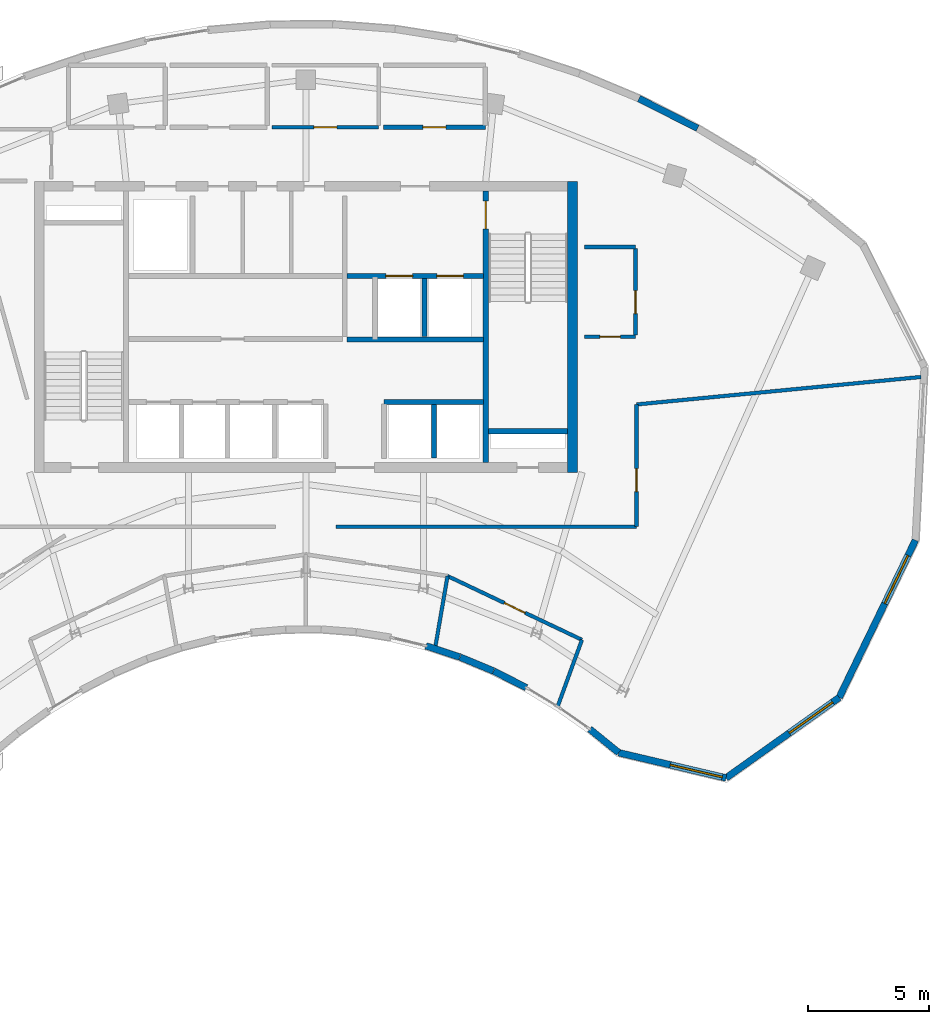
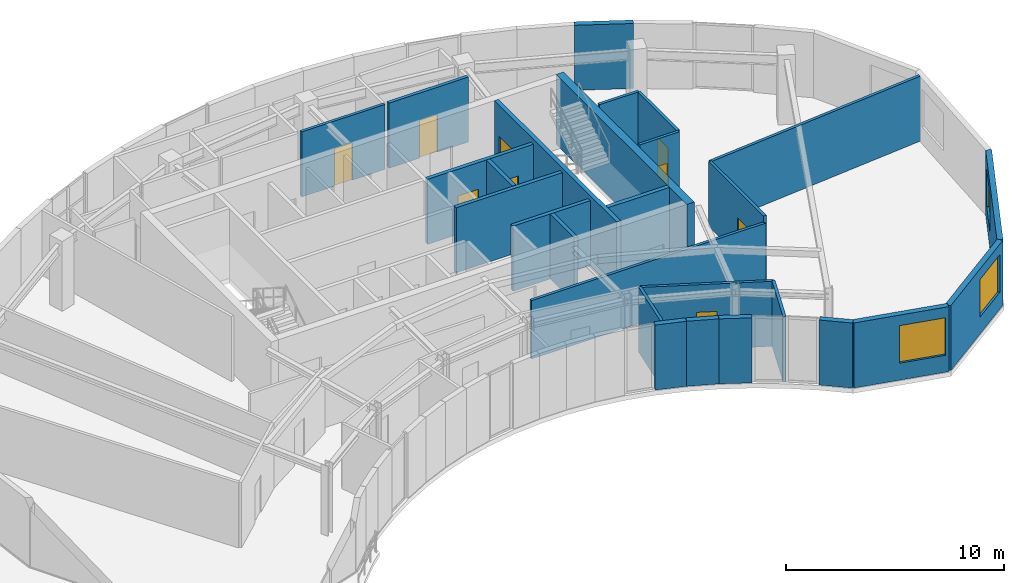
# One storey, part 8 of 11: 27 walls, 9 doors, 3 windows, 12 openings.
"""IFC4 building model written with IfcOpenShell, lengths in metres."""

import ifcopenshell
import ifcopenshell.guid

model = None  # the IFC model being written
_history = None  # IfcOwnerHistory: only IFC2X3 demands one
_inside = {}  # id of a spatial element -> (the spatial element, [elements in it])
_under = {}  # id of a project, library or spatial element -> (it, [spatial elements below it])
_declared = {}  # id of a project -> (the project, [libraries it declares])
_typed = {}  # id of a type object -> (the type object, [elements of that type])
_made_of = {}  # id of a material, layer set ... -> (it, [elements and type objects made of it])


def new_model(schema):
    """Start an empty IFC model of exactly this schema.

    Asked for "IFC4X3", IfcOpenShell would pick the latest addendum, in which some entities
    have other attributes; the version numbers below select the first issue.
    IFC2X3 requires an IfcOwnerHistory on every rooted entity: one is made here for all.
    """
    global model, _history
    if schema == "IFC4X3":
        model = ifcopenshell.file(schema_version=(4, 3, 0, 0))
    else:
        model = ifcopenshell.file(schema=schema)
    _inside.clear()
    _under.clear()
    _declared.clear()
    _typed.clear()
    _made_of.clear()
    _history = None
    if model.schema == "IFC2X3":
        org = make("IfcOrganization", Name="unknown")
        user = make(
            "IfcPersonAndOrganization",
            ThePerson=make("IfcPerson", FamilyName="unknown"),
            TheOrganization=org,
        )
        app = make(
            "IfcApplication",
            ApplicationDeveloper=org,
            Version="unknown",
            ApplicationFullName="unknown",
            ApplicationIdentifier="unknown",
        )
        _history = make(
            "IfcOwnerHistory",
            OwningUser=user,
            OwningApplication=app,
            ChangeAction="ADDED",
            CreationDate=0,
        )
    return model


def make(cls, **values):
    """One entity of the class cls with the attributes given. An attribute that is None is left unset."""
    return model.create_entity(
        cls, **{name: value for name, value in values.items() if value is not None}
    )


def rooted(cls, **values):
    """An entity with a GlobalId (a new one), such as an element, a storey or a relation."""
    return make(cls, GlobalId=ifcopenshell.guid.new(), OwnerHistory=_history, **values)


def si_unit(unit_type, name, prefix=None):
    """IfcSIUnit, for example si_unit("LENGTHUNIT", "METRE", prefix="MILLI")."""
    return make("IfcSIUnit", UnitType=unit_type, Prefix=prefix, Name=name)


def assignment(units):
    """IfcUnitAssignment: the units of a project."""
    return None if units is None else make("IfcUnitAssignment", Units=units)


def point(xyz):
    """IfcCartesianPoint."""
    return None if xyz is None else make("IfcCartesianPoint", Coordinates=xyz)


def direction(xyz):
    """IfcDirection."""
    return None if xyz is None else make("IfcDirection", DirectionRatios=xyz)


def frame(location, z_axis=None, x_axis=None):
    """IfcAxis2Placement3D, a coordinate frame: its origin and axes. An axis left out is left unset."""
    return make(
        "IfcAxis2Placement3D",
        Location=point(location),
        Axis=direction(z_axis),
        RefDirection=direction(x_axis),
    )


def frame_2d(location, x_axis=None):
    """IfcAxis2Placement2D, a coordinate frame in the plane: its origin and x axis."""
    return make(
        "IfcAxis2Placement2D", Location=point(location), RefDirection=direction(x_axis)
    )


def origin():
    """The frame at (0, 0, 0) with its axes left unset."""
    return frame((0.0, 0.0, 0.0))


def place(relative_to, where):
    """IfcLocalPlacement: puts the frame where relative to a parent placement (None: the world)."""
    return make(
        "IfcLocalPlacement", PlacementRelTo=relative_to, RelativePlacement=where
    )


def context(
    kind, dimensions, precision=None, world=None, true_north=None, identifier=None
):
    """IfcGeometricRepresentationContext, for example the 3D "Model" context."""
    return make(
        "IfcGeometricRepresentationContext",
        ContextIdentifier=identifier,
        ContextType=kind,
        CoordinateSpaceDimension=dimensions,
        Precision=precision,
        WorldCoordinateSystem=world,
        TrueNorth=true_north,
    )


def subcontext(parent, identifier, kind, view, scale=None):
    """IfcGeometricRepresentationSubContext, for example "Body" below "Model"."""
    return make(
        "IfcGeometricRepresentationSubContext",
        ContextIdentifier=identifier,
        ContextType=kind,
        ParentContext=parent,
        TargetScale=scale,
        TargetView=view,
    )


def project(units=None, contexts=None):
    """IfcProject with its units and contexts."""
    return rooted(
        "IfcProject",
        Name="project",
        RepresentationContexts=contexts,
        UnitsInContext=assignment(units),
    )


def spatial(cls, under=None, at=None, **own):
    """A site, building, storey or space (cls), placed at a placement, below another one or the project."""
    s = rooted(cls, ObjectPlacement=at, **own)
    if under is not None:
        _under.setdefault(under.id(), (under, []))[1].append(s)
    return s


def profile(cls, at=None, kind="AREA", **sizes):
    """A parametric profile (cls). Its sizes go by their IFC names, for example OverallWidth=200.0."""
    return make(cls, ProfileType=kind, Position=at, **sizes)


def rectangle(**sizes):
    """IfcRectangleProfileDef."""
    return profile("IfcRectangleProfileDef", **sizes)


def extrude(swept, where, along, depth):
    """IfcExtrudedAreaSolid: the profile swept, set in the frame where, extruded along a direction by depth."""
    return make(
        "IfcExtrudedAreaSolid",
        SweptArea=swept,
        Position=where,
        ExtrudedDirection=direction(along),
        Depth=depth,
    )


def shape(context_of_items, identifier, shape_type, items):
    """IfcShapeRepresentation: the items that make up one representation, for example the "Body"."""
    return make(
        "IfcShapeRepresentation",
        ContextOfItems=context_of_items,
        RepresentationIdentifier=identifier,
        RepresentationType=shape_type,
        Items=items,
    )


def source(mapping_origin, context_of_items, identifier, shape_type, items):
    """IfcRepresentationMap: a shape defined once, which mapped items show again and again."""
    return make(
        "IfcRepresentationMap",
        MappingOrigin=mapping_origin,
        MappedRepresentation=shape(context_of_items, identifier, shape_type, items),
    )


def transform(
    local_origin,
    x_axis=None,
    y_axis=None,
    z_axis=None,
    scale=None,
    scale2=None,
    scale3=None,
    uniform=True,
):
    """IfcCartesianTransformationOperator3D, or its non-uniform kind. x_axis, y_axis, z_axis: its Axis1, 2, 3."""
    if uniform:
        return make(
            "IfcCartesianTransformationOperator3D",
            Axis1=direction(x_axis),
            Axis2=direction(y_axis),
            LocalOrigin=point(local_origin),
            Scale=scale,
            Axis3=direction(z_axis),
        )
    return make(
        "IfcCartesianTransformationOperator3DnonUniform",
        Axis1=direction(x_axis),
        Axis2=direction(y_axis),
        LocalOrigin=point(local_origin),
        Scale=scale,
        Axis3=direction(z_axis),
        Scale2=scale2,
        Scale3=scale3,
    )


def mapped(mapping_source, mapping_target):
    """IfcMappedItem: shows the shape of a source again, moved by a transform."""
    return make(
        "IfcMappedItem", MappingSource=mapping_source, MappingTarget=mapping_target
    )


def material(Name=None, Category=None):
    """IfcMaterial."""
    return make("IfcMaterial", Name=Name, Category=Category)


def layer(
    of_material, thickness, ventilated=None, Name=None, Category=None, Priority=None
):
    """IfcMaterialLayer: one layer of a wall or slab, of a material (None: an air gap)."""
    return make(
        "IfcMaterialLayer",
        Material=of_material,
        LayerThickness=thickness,
        IsVentilated=ventilated,
        Name=Name,
        Category=Category,
        Priority=Priority,
    )


def layer_set(layers, Name=None):
    """IfcMaterialLayerSet."""
    return make("IfcMaterialLayerSet", MaterialLayers=layers, LayerSetName=Name)


def made_of(thing, what):
    """Note that an element or type object is made of a material, layer set ...; save() writes the relation."""
    if what is not None:
        _made_of.setdefault(what.id(), (what, []))[1].append(thing)
    return thing


def type_object(cls, material=None, **own):
    """A type object (cls), such as IfcWallType, which elements share."""
    return made_of(rooted(cls, **own), material)


def type_shapes(of_type, sources):
    """Give a type object the sources (RepresentationMaps) that its elements show as mapped items."""
    of_type.RepresentationMaps = sources


def element(
    cls,
    number,
    at=None,
    inside=None,
    cuts=None,
    type_object=None,
    material=None,
    context=None,
    identifier="Body",
    shape_type=None,
    held_by="IfcProductDefinitionShape",
    body=None,
    shapes=None,
    **own,
):
    """One element of the class cls, such as IfcWall. Its Tag is "e" and its number.

    at: its placement. inside: the storey or other place that contains it. cuts: it is an
    opening in that element (IfcRelVoidsElement). A single representation is given by context,
    identifier, shape_type and body (its items); several are given by shapes. held_by: the class
    of the entity that holds the representations. save() writes the other relations.
    """
    e = rooted(cls, Tag="e%d" % number, ObjectPlacement=at, **own)
    if body is not None:
        shapes = [shape(context, identifier, shape_type, body)]
    if shapes is not None:
        e.Representation = make(held_by, Representations=shapes)
    if inside is not None:
        _inside.setdefault(inside.id(), (inside, []))[1].append(e)
    if cuts is not None:
        rooted(
            "IfcRelVoidsElement", RelatingBuildingElement=cuts, RelatedOpeningElement=e
        )
    if type_object is not None:
        _typed.setdefault(type_object.id(), (type_object, []))[1].append(e)
    return made_of(e, material)


def fill(opening, filler):
    """IfcRelFillsElement: the door or window that sits in an opening."""
    return rooted(
        "IfcRelFillsElement",
        RelatingOpeningElement=opening,
        RelatedBuildingElement=filler,
    )


def aggregate(whole, parts):
    """IfcRelAggregates: a whole, such as a stair, and the parts it consists of."""
    return rooted("IfcRelAggregates", RelatingObject=whole, RelatedObjects=parts)


def save(model, path):
    """Write the relations noted so far, then the file.

    IfcRelAggregates (storeys below a building ...), IfcRelContainedInSpatialStructure (elements
    in a storey), IfcRelDefinesByType, IfcRelAssociatesMaterial and IfcRelDeclares: one each for
    every whole, place, type object, material and project.
    """
    for whole, parts in _under.values():
        aggregate(whole, parts)
    for where, things in _inside.values():
        rooted(
            "IfcRelContainedInSpatialStructure",
            RelatedElements=things,
            RelatingStructure=where,
        )
    for kind, things in _typed.values():
        rooted("IfcRelDefinesByType", RelatedObjects=things, RelatingType=kind)
    for what, things in _made_of.values():
        rooted("IfcRelAssociatesMaterial", RelatedObjects=things, RelatingMaterial=what)
    for by, libraries in _declared.values():
        rooted("IfcRelDeclares", RelatingContext=by, RelatedDefinitions=libraries)
    model.write(path)


model = new_model("IFC4")

# Units and contexts
model_context = context("Model", 3, precision=1e-05, world=origin(), true_north=direction((0.0, 1.0)))
body_context = subcontext(model_context, "Body", "Model", "MODEL_VIEW")
ifc_project = project(units=[si_unit("LENGTHUNIT", "METRE"), si_unit("AREAUNIT", "SQUARE_METRE"), si_unit("VOLUMEUNIT", "CUBIC_METRE"), si_unit("PLANEANGLEUNIT", "RADIAN"), si_unit("MASSUNIT", "GRAM", prefix="KILO")], contexts=[model_context])

# Site, building, storey
site_placement = place(None, origin())
site = spatial("IfcSite", under=ifc_project, at=site_placement, CompositionType="ELEMENT")
building_placement = place(site_placement, origin())
building = spatial("IfcBuilding", under=site, at=building_placement, Name="Breltana Convention Tower", CompositionType="ELEMENT")
storey_placement = place(building_placement, frame((0.0, 0.0, 275.699951171875)))
storey = spatial("IfcBuildingStorey", under=building, at=storey_placement, Name="L67", CompositionType="ELEMENT", Elevation=275.699951171875)

# Walls
ifc_material_1 = material(Name="Concrete C50/60", Category="concrete")
ifc_layer_1 = layer(ifc_material_1, 0.39990234375, Name="Concrete C50/60")
ifc_layer_set_1 = layer_set([ifc_layer_1], Name="Concrete C50/60")
wall_type_1 = type_object("IfcWallType", Name="SW-CORE-400", PredefinedType="SHEAR", material=ifc_layer_set_1)
shared_shape_1 = source(origin(), body_context, "Body", "SweptSolid", [
    extrude(rectangle(XDim=3.27001953125, YDim=0.219970703125, at=frame_2d((1.635009765625, 0.0))), origin(), (0.0, 0.0, 1.0), 3.900146484375),
])
wall_1_placement = place(storey_placement, frame((55.530029296875, 61.889892578125, 0.0), z_axis=(0.0, 0.0, 1.0), x_axis=(1.0, 0.0, 0.0)))
element("IfcWall", 1, at=wall_1_placement, inside=storey, type_object=wall_type_1, Name="L67 ST-2 Stairwell South Bearing Wall", PredefinedType="SHEAR", context=body_context, shape_type="MappedRepresentation", body=[
    mapped(shared_shape_1, transform((0.0, 0.0, 0.0), scale=1.0)),
])
shared_shape_2 = source(origin(), body_context, "Body", "SweptSolid", [
    extrude(rectangle(XDim=12.0, YDim=0.39990234375, at=frame_2d((6.0, 0.0))), origin(), (0.0, 0.0, 1.0), 3.900146484375),
])
wall_2_placement = place(storey_placement, frame((59.0, 60.199951171875, 0.0), z_axis=(0.0, 0.0, 1.0), x_axis=(0.0, 1.0, 0.0)))
element("IfcWall", 2, at=wall_2_placement, inside=storey, type_object=wall_type_1, Name="L67 East Core Shear Wall", PredefinedType="SHEAR", context=body_context, shape_type="MappedRepresentation", body=[
    mapped(shared_shape_2, transform((0.0, 0.0, 0.0), scale=1.0)),
])

# Wall, opening, door
shared_shape_3 = source(origin(), body_context, "Body", "SweptSolid", [
    extrude(rectangle(XDim=11.199951171875, YDim=0.219970703125, at=frame_2d((5.60009765625, 0.0))), origin(), (0.0, 0.0, 1.0), 3.900146484375),
])
wall_3_placement = place(storey_placement, frame((55.419921875, 60.60009765625, 0.0), z_axis=(0.0, 0.0, 1.0), x_axis=(0.0, 1.0, 0.0)))
wall_3 = element("IfcWall", 3, at=wall_3_placement, inside=storey, type_object=wall_type_1, Name="L67 Core East Stair Spine Wall", PredefinedType="SHEAR", context=body_context, shape_type="MappedRepresentation", body=[
    mapped(shared_shape_3, transform((0.0, 0.0, 0.0), scale=1.0)),
])
opening_1_placement = place(wall_3_placement, frame((9.64501953125, 0.0, 0.0)))
opening_1 = element("IfcOpeningElement", 4, at=opening_1_placement, cuts=wall_3, Name="Opening D-11", PredefinedType="OPENING", context=body_context, shape_type="SweptSolid", body=[
    extrude(rectangle(XDim=1.14990234375, YDim=2.14990234375, at=frame_2d((0.574951171875, 1.074951171875))), frame((0.0, 0.1201171875, 0.0), z_axis=(0.0, -1.0, 0.0), x_axis=(1.0, 0.0, 0.0)), (0.0, 0.0, 1.0), 0.239990234375),
])
ifc_material_2 = material(Name="Steel Stair Exit Door", Category="steel")
door_type_1 = type_object("IfcDoorType", Name="DR-FD120-1150", OperationType="NOTDEFINED", PredefinedType="DOOR", material=ifc_material_2)
shared_shape_4 = source(origin(), body_context, "Body", "SweptSolid", [
    extrude(rectangle(XDim=1.14990234375, YDim=2.14990234375, at=frame_2d((0.574951171875, 1.074951171875))), frame((0.0, 0.02490234375, 0.0), z_axis=(0.0, -1.0, 0.0), x_axis=(1.0, 0.0, 0.0)), (0.0, 0.0, 1.0), 0.050048828125),
])
type_shapes(door_type_1, [shared_shape_4])
door_1_placement = place(opening_1_placement, origin())
door_1 = element("IfcDoor", 5, at=door_1_placement, inside=storey, type_object=door_type_1, Name="L67 interior door D-L67-ST2", OperationType="SINGLE_SWING_LEFT", OverallHeight=2.14990234375, OverallWidth=1.14990234375, PredefinedType="DOOR", context=body_context, shape_type="MappedRepresentation", body=[
    mapped(shared_shape_4, transform((0.0, 0.0, 0.0), scale=1.0)),
])
fill(opening_1, door_1)

# Wall, opening, window
ifc_material_3 = material(Name="Limestone Buff Insulated Wall", Category="masonry")
ifc_layer_2 = layer(ifc_material_3, 0.280029296875, Name="Limestone Buff Insulated Wall")
ifc_layer_set_2 = layer_set([ifc_layer_2], Name="Limestone Buff Insulated Wall")
wall_type_2 = type_object("IfcWallType", Name="WL-EXT-NOSE-280", PredefinedType="SOLIDWALL", material=ifc_layer_set_2)
shared_shape_5 = source(origin(), body_context, "Body", "SweptSolid", [
    extrude(rectangle(XDim=7.21142578125, YDim=0.280029296875, at=frame_2d((3.605712890625, 0.0))), origin(), (0.0, 0.0, 1.0), 3.64013671875),
])
wall_4_placement = place(storey_placement, frame((73.1484375, 57.398681640625, 0.0), z_axis=(0.0, 0.0, 1.0), x_axis=(-0.436088263006, -0.899903898685, 0.0)))
wall_4 = element("IfcWall", 6, at=wall_4_placement, inside=storey, type_object=wall_type_2, Name="L67 curved limestone nose wall E3", PredefinedType="SOLIDWALL", context=body_context, shape_type="MappedRepresentation", body=[
    mapped(shared_shape_5, transform((0.0, 0.0, 0.0), scale=1.0)),
])
opening_2_placement = place(wall_4_placement, frame((0.702880859375, 0.0, 0.949951171875)))
opening_2 = element("IfcOpeningElement", 7, at=opening_2_placement, cuts=wall_4, Name="Opening W-03", PredefinedType="OPENING", context=body_context, shape_type="SweptSolid", body=[
    extrude(rectangle(XDim=2.199951171875, YDim=2.10009765625, at=frame_2d((1.10009765625, 1.050048828125))), frame((0.0, 0.14990234375, 0.0), z_axis=(0.0, -1.0, 0.0), x_axis=(1.0, 0.0, 0.0)), (0.0, 0.0, 1.0), 0.300048828125),
])
ifc_material_4 = material(Name="Glass Low-E Insulated Window", Category="glass")
window_type = type_object("IfcWindowType", Name="WN-NOSE-2200X2100", PartitioningType="TRIPLE_PANEL_VERTICAL", PredefinedType="WINDOW", material=ifc_material_4)
shared_shape_6 = source(origin(), body_context, "Body", "SweptSolid", [
    extrude(rectangle(XDim=2.199951171875, YDim=2.10009765625, at=frame_2d((1.10009765625, 1.050048828125))), frame((0.0, 0.030029296875, 0.0), z_axis=(0.0, -1.0, 0.0), x_axis=(1.0, 0.0, 0.0)), (0.0, 0.0, 1.0), 0.06005859375),
])
type_shapes(window_type, [shared_shape_6])
window_1_placement = place(opening_2_placement, origin())
window_1 = element("IfcWindow", 8, at=window_1_placement, inside=storey, type_object=window_type, Name="L67 nose window E3", OverallHeight=2.10009765625, OverallWidth=2.199951171875, PartitioningType="TRIPLE_PANEL_VERTICAL", PredefinedType="WINDOW", context=body_context, shape_type="MappedRepresentation", body=[
    mapped(shared_shape_6, transform((0.0, 0.0, 0.0), scale=1.0)),
])
fill(opening_2, window_1)

shared_shape_7 = source(origin(), body_context, "Body", "SweptSolid", [
    extrude(rectangle(XDim=5.730712890625, YDim=0.280029296875, at=frame_2d((2.865234375, 0.0))), origin(), (0.0, 0.0, 1.0), 3.64013671875),
])
wall_5_placement = place(storey_placement, frame((70.003662109375, 50.9091796875, 0.0), z_axis=(0.0, 0.0, 1.0), x_axis=(-0.815021045908, -0.579431354629, 0.0)))
wall_5 = element("IfcWall", 9, at=wall_5_placement, inside=storey, type_object=wall_type_2, Name="L67 curved limestone nose wall E4", PredefinedType="SOLIDWALL", context=body_context, shape_type="MappedRepresentation", body=[
    mapped(shared_shape_7, transform((0.0, 0.0, 0.0), scale=1.0)),
])
opening_3_placement = place(wall_5_placement, frame((0.332763671875, 0.0, 0.949951171875)))
opening_3 = element("IfcOpeningElement", 10, at=opening_3_placement, cuts=wall_5, Name="Opening W-03", PredefinedType="OPENING", context=body_context, shape_type="SweptSolid", body=[
    extrude(rectangle(XDim=2.199951171875, YDim=2.10009765625, at=frame_2d((1.10009765625, 1.050048828125))), frame((0.0, 0.14990234375, 0.0), z_axis=(0.0, -1.0, 0.0), x_axis=(1.0, 0.0, 0.0)), (0.0, 0.0, 1.0), 0.300048828125),
])
window_2_placement = place(opening_3_placement, origin())
window_2 = element("IfcWindow", 11, at=window_2_placement, inside=storey, type_object=window_type, Name="L67 nose window E4", OverallHeight=2.10009765625, OverallWidth=2.199951171875, PartitioningType="TRIPLE_PANEL_VERTICAL", PredefinedType="WINDOW", context=body_context, shape_type="MappedRepresentation", body=[
    mapped(shared_shape_6, transform((0.0, 0.0, 0.0), scale=1.0)),
])
fill(opening_3, window_2)

shared_shape_8 = source(origin(), body_context, "Body", "SweptSolid", [
    extrude(rectangle(XDim=4.546630859375, YDim=0.280029296875, at=frame_2d((2.2734375, 0.0))), origin(), (0.0, 0.0, 1.0), 3.64013671875),
])
wall_6_placement = place(storey_placement, frame((65.3330078125, 47.588623046875, 0.0), z_axis=(0.0, 0.0, 1.0), x_axis=(-0.973332593516, 0.229398479505, 0.0)))
wall_6 = element("IfcWall", 12, at=wall_6_placement, inside=storey, type_object=wall_type_2, Name="L67 curved limestone nose wall E5", PredefinedType="SOLIDWALL", context=body_context, shape_type="MappedRepresentation", body=[
    mapped(shared_shape_8, transform((0.0, 0.0, 0.0), scale=1.0)),
])
opening_4_placement = place(wall_6_placement, frame((0.159912109375, 0.0, 0.949951171875)))
opening_4 = element("IfcOpeningElement", 13, at=opening_4_placement, cuts=wall_6, Name="Opening W-03", PredefinedType="OPENING", context=body_context, shape_type="SweptSolid", body=[
    extrude(rectangle(XDim=2.199951171875, YDim=2.10009765625, at=frame_2d((1.10009765625, 1.050048828125))), frame((0.0, 0.14990234375, 0.0), z_axis=(0.0, -1.0, 0.0), x_axis=(1.0, 0.0, 0.0)), (0.0, 0.0, 1.0), 0.300048828125),
])
window_3_placement = place(opening_4_placement, origin())
window_3 = element("IfcWindow", 14, at=window_3_placement, inside=storey, type_object=window_type, Name="L67 nose window E5", OverallHeight=2.10009765625, OverallWidth=2.199951171875, PartitioningType="TRIPLE_PANEL_VERTICAL", PredefinedType="WINDOW", context=body_context, shape_type="MappedRepresentation", body=[
    mapped(shared_shape_6, transform((0.0, 0.0, 0.0), scale=1.0)),
])
fill(opening_4, window_3)

# Walls
shared_shape_9 = source(origin(), body_context, "Body", "SweptSolid", [
    extrude(rectangle(XDim=1.54345703125, YDim=0.280029296875, at=frame_2d((0.771728515625, 0.0))), origin(), (0.0, 0.0, 1.0), 3.64013671875),
])
wall_7_placement = place(storey_placement, frame((60.90771484375, 48.631591796875, 0.0), z_axis=(0.0, 0.0, 1.0), x_axis=(-0.77582846857, 0.63094388606, 0.0)))
element("IfcWall", 15, at=wall_7_placement, inside=storey, type_object=wall_type_2, Name="L67 curved limestone nose wall E6", PredefinedType="SOLIDWALL", context=body_context, shape_type="MappedRepresentation", body=[
    mapped(shared_shape_9, transform((0.0, 0.0, 0.0), scale=1.0)),
])
shared_shape_10 = source(origin(), body_context, "Body", "SweptSolid", [
    extrude(rectangle(XDim=1.508544921875, YDim=0.280029296875, at=frame_2d((0.75439453125, 0.0))), origin(), (0.0, 0.0, 1.0), 3.64013671875),
])
wall_8_placement = place(storey_placement, frame((57.09375, 51.3154296875, 0.0), z_axis=(0.0, 0.0, 1.0), x_axis=(-0.89169189228, 0.452642871635, 0.0)))
element("IfcWall", 16, at=wall_8_placement, inside=storey, type_object=wall_type_2, Name="L67 curved limestone nose wall E7", PredefinedType="SOLIDWALL", context=body_context, shape_type="MappedRepresentation", body=[
    mapped(shared_shape_10, transform((0.0, 0.0, 0.0), scale=1.0)),
])
shared_shape_11 = source(origin(), body_context, "Body", "SweptSolid", [
    extrude(rectangle(XDim=1.48779296875, YDim=0.280029296875, at=frame_2d((0.743896484375, 0.0))), origin(), (0.0, 0.0, 1.0), 3.64013671875),
])
wall_9_placement = place(storey_placement, frame((55.736328125, 52.00390625, 0.0), z_axis=(0.0, 0.0, 1.0), x_axis=(-0.923261314935, 0.384172545017, 0.0)))
element("IfcWall", 17, at=wall_9_placement, inside=storey, type_object=wall_type_2, Name="L67 curved limestone nose wall E8", PredefinedType="SOLIDWALL", context=body_context, shape_type="MappedRepresentation", body=[
    mapped(shared_shape_11, transform((0.0, 0.0, 0.0), scale=1.0)),
])
shared_shape_12 = source(origin(), body_context, "Body", "SweptSolid", [
    extrude(rectangle(XDim=1.470458984375, YDim=0.280029296875, at=frame_2d((0.7353515625, 0.0))), origin(), (0.0, 0.0, 1.0), 3.64013671875),
])
wall_10_placement = place(storey_placement, frame((54.349609375, 52.580322265625, 0.0), z_axis=(0.0, 0.0, 1.0), x_axis=(-0.950248878954, 0.311491682145, 0.0)))
element("IfcWall", 18, at=wall_10_placement, inside=storey, type_object=wall_type_2, Name="L67 curved limestone nose wall E9", PredefinedType="SOLIDWALL", context=body_context, shape_type="MappedRepresentation", body=[
    mapped(shared_shape_12, transform((0.0, 0.0, 0.0), scale=1.0)),
])
shared_shape_13 = source(origin(), body_context, "Body", "SweptSolid", [
    extrude(rectangle(XDim=2.70556640625, YDim=0.280029296875, at=frame_2d((1.352783203125, 0.0))), origin(), (0.0, 0.0, 1.0), 3.64013671875),
])
wall_11_placement = place(storey_placement, frame((61.7451171875, 75.620361328125, 0.0), z_axis=(0.0, 0.0, 1.0), x_axis=(0.891648836287, -0.452727680564, 0.0)))
element("IfcWall", 19, at=wall_11_placement, inside=storey, type_object=wall_type_2, Name="L67 curved limestone nose wall E28", PredefinedType="SOLIDWALL", context=body_context, shape_type="MappedRepresentation", body=[
    mapped(shared_shape_13, transform((0.0, 0.0, 0.0), scale=1.0)),
])

# Wall, openings, doors
ifc_material_5 = material(Name="Autoclaved Aerated Concrete Block", Category="concrete")
ifc_layer_3 = layer(ifc_material_5, 0.199951171875, Name="Autoclaved Aerated Concrete Block")
ifc_layer_set_3 = layer_set([ifc_layer_3], Name="Autoclaved Aerated Concrete Block")
wall_type_3 = type_object("IfcWallType", Name="WL-SHAFT-200", PredefinedType="SOLIDWALL", material=ifc_layer_set_3)
shared_shape_14 = source(origin(), body_context, "Body", "SweptSolid", [
    extrude(rectangle(XDim=5.6201171875, YDim=0.199951171875, at=frame_2d((2.81005859375, 0.0))), origin(), (0.0, 0.0, 1.0), 3.64013671875),
])
wall_12_placement = place(storey_placement, frame((49.699951171875, 68.300048828125, 0.0), z_axis=(0.0, 0.0, 1.0), x_axis=(1.0, 0.0, 0.0)))
wall_12 = element("IfcWall", 20, at=wall_12_placement, inside=storey, type_object=wall_type_3, Name="L67 interior partition W-L67-FFL-S", PredefinedType="SOLIDWALL", context=body_context, shape_type="MappedRepresentation", body=[
    mapped(shared_shape_14, transform((0.0, 0.0, 0.0), scale=1.0)),
])
opening_5_placement = place(wall_12_placement, frame((1.60009765625, 0.0, 0.0)))
opening_5 = element("IfcOpeningElement", 21, at=opening_5_placement, cuts=wall_12, Name="Opening LD-03", PredefinedType="OPENING", context=body_context, shape_type="SweptSolid", body=[
    extrude(rectangle(XDim=1.10009765625, YDim=2.14990234375, at=frame_2d((0.550048828125, 1.074951171875))), frame((0.0, 0.10986328125, 0.0), z_axis=(0.0, -1.0, 0.0), x_axis=(1.0, 0.0, 0.0)), (0.0, 0.0, 1.0), 0.219970703125),
])
opening_6_placement = place(wall_12_placement, frame((3.699951171875, 0.0, 0.0)))
opening_6 = element("IfcOpeningElement", 22, at=opening_6_placement, cuts=wall_12, Name="Opening LD-03", PredefinedType="OPENING", context=body_context, shape_type="SweptSolid", body=[
    extrude(rectangle(XDim=1.10009765625, YDim=2.14990234375, at=frame_2d((0.550048828125, 1.074951171875))), frame((0.0, 0.10986328125, 0.0), z_axis=(0.0, -1.0, 0.0), x_axis=(1.0, 0.0, 0.0)), (0.0, 0.0, 1.0), 0.219970703125),
])
ifc_material_6 = material(Name="Stainless Steel Brushed", Category="steel")
door_type_2 = type_object("IfcDoorType", Name="DR-LD-FF-1100", OperationType="DOUBLE_DOOR_SLIDING", PredefinedType="DOOR", material=ifc_material_6)
shared_shape_15 = source(origin(), body_context, "Body", "SweptSolid", [
    extrude(rectangle(XDim=1.10009765625, YDim=2.14990234375, at=frame_2d((0.550048828125, 1.074951171875))), frame((0.0, 0.02490234375, 0.0), z_axis=(0.0, -1.0, 0.0), x_axis=(1.0, 0.0, 0.0)), (0.0, 0.0, 1.0), 0.050048828125),
])
type_shapes(door_type_2, [shared_shape_15])
door_2_placement = place(opening_5_placement, origin())
door_2 = element("IfcDoor", 23, at=door_2_placement, inside=storey, type_object=door_type_2, Name="L67 Lift Landing Door D-L67-LD-FL1", OperationType="DOUBLE_DOOR_SLIDING", OverallHeight=2.14990234375, OverallWidth=1.10009765625, PredefinedType="DOOR", context=body_context, shape_type="MappedRepresentation", body=[
    mapped(shared_shape_15, transform((0.0, 0.0, 0.0), scale=1.0)),
])
fill(opening_5, door_2)
door_3_placement = place(opening_6_placement, origin())
door_3 = element("IfcDoor", 24, at=door_3_placement, inside=storey, type_object=door_type_2, Name="L67 Lift Landing Door D-L67-LD-FL2", OperationType="DOUBLE_DOOR_SLIDING", OverallHeight=2.14990234375, OverallWidth=1.10009765625, PredefinedType="DOOR", context=body_context, shape_type="MappedRepresentation", body=[
    mapped(shared_shape_15, transform((0.0, 0.0, 0.0), scale=1.0)),
])
fill(opening_6, door_3)

# Walls
wall_13_placement = place(storey_placement, frame((49.699951171875, 65.679931640625, 0.0), z_axis=(0.0, 0.0, 1.0), x_axis=(1.0, 0.0, 0.0)))
element("IfcWall", 25, at=wall_13_placement, inside=storey, type_object=wall_type_3, Name="L67 interior partition W-L67-FL-S", PredefinedType="SOLIDWALL", context=body_context, shape_type="MappedRepresentation", body=[
    mapped(shared_shape_14, transform((0.0, 0.0, 0.0), scale=1.0)),
])
shared_shape_16 = source(origin(), body_context, "Body", "SweptSolid", [
    extrude(rectangle(XDim=2.39990234375, YDim=0.199951171875, at=frame_2d((1.199951171875, 0.0))), origin(), (0.0, 0.0, 1.0), 3.64013671875),
])
wall_14_placement = place(storey_placement, frame((52.89990234375, 65.800048828125, 0.0), z_axis=(0.0, 0.0, 1.0), x_axis=(0.0, 1.0, 0.0)))
element("IfcWall", 26, at=wall_14_placement, inside=storey, type_object=wall_type_3, Name="L67 interior partition W-L67-FL-DIV", PredefinedType="SOLIDWALL", context=body_context, shape_type="MappedRepresentation", body=[
    mapped(shared_shape_16, transform((0.0, 0.0, 0.0), scale=1.0)),
])
shared_shape_17 = source(origin(), body_context, "Body", "SweptSolid", [
    extrude(rectangle(XDim=4.10009765625, YDim=0.199951171875, at=frame_2d((2.050048828125, 0.0))), origin(), (0.0, 0.0, 1.0), 3.64013671875),
])
wall_15_placement = place(storey_placement, frame((51.219970703125, 63.10009765625, 0.0), z_axis=(0.0, 0.0, 1.0), x_axis=(1.0, 0.0, 0.0)))
element("IfcWall", 27, at=wall_15_placement, inside=storey, type_object=wall_type_3, Name="L67 interior partition W-L67-SH-X-FRONT", PredefinedType="SOLIDWALL", context=body_context, shape_type="MappedRepresentation", body=[
    mapped(shared_shape_17, transform((0.0, 0.0, 0.0), scale=1.0)),
])
shared_shape_18 = source(origin(), body_context, "Body", "SweptSolid", [
    extrude(rectangle(XDim=2.199951171875, YDim=0.199951171875, at=frame_2d((1.10009765625, 0.0))), origin(), (0.0, 0.0, 1.0), 3.64013671875),
])
wall_16_placement = place(storey_placement, frame((53.280029296875, 60.800048828125, 0.0), z_axis=(0.0, 0.0, 1.0), x_axis=(0.0, 1.0, 0.0)))
element("IfcWall", 28, at=wall_16_placement, inside=storey, type_object=wall_type_3, Name="L67 interior partition W-L67-SH-X-DIV", PredefinedType="SOLIDWALL", context=body_context, shape_type="MappedRepresentation", body=[
    mapped(shared_shape_18, transform((0.0, 0.0, 0.0), scale=1.0)),
])

# Wall, opening, door
ifc_material_7 = material(Name="Gypsum Acoustic Drywall Partition")
ifc_layer_4 = layer(ifc_material_7, 0.14990234375, Name="Gypsum Acoustic Drywall Partition")
ifc_layer_set_4 = layer_set([ifc_layer_4], Name="Gypsum Acoustic Drywall Partition")
wall_type_4 = type_object("IfcWallType", Name="WL-PART-150", PredefinedType="PARTITIONING", material=ifc_layer_set_4)
shared_shape_19 = source(origin(), body_context, "Body", "SweptSolid", [
    extrude(rectangle(XDim=2.10009765625, YDim=0.14990234375, at=frame_2d((1.050048828125, 0.0))), origin(), (0.0, 0.0, 1.0), 3.64013671875),
])
wall_17_placement = place(storey_placement, frame((59.5, 65.800048828125, 0.0), z_axis=(0.0, 0.0, 1.0), x_axis=(1.0, 0.0, 0.0)))
wall_17 = element("IfcWall", 29, at=wall_17_placement, inside=storey, type_object=wall_type_4, Name="L67 interior partition W-L67-CRSE-S", PredefinedType="PARTITIONING", context=body_context, shape_type="MappedRepresentation", body=[
    mapped(shared_shape_19, transform((0.0, 0.0, 0.0), scale=1.0)),
])
opening_7_placement = place(wall_17_placement, frame((0.625, 0.0, 0.0)))
opening_7 = element("IfcOpeningElement", 30, at=opening_7_placement, cuts=wall_17, Name="Opening D-20", PredefinedType="OPENING", context=body_context, shape_type="SweptSolid", body=[
    extrude(rectangle(XDim=0.85009765625, YDim=2.10009765625, at=frame_2d((0.425048828125, 1.050048828125))), frame((0.0, 0.0849609375, 0.0), z_axis=(0.0, -1.0, 0.0), x_axis=(1.0, 0.0, 0.0)), (0.0, 0.0, 1.0), 0.169921875),
])
ifc_material_8 = material(Name="Steel Closet Fire Door", Category="steel")
door_type_3 = type_object("IfcDoorType", Name="DR-FD60-850", OperationType="NOTDEFINED", PredefinedType="DOOR", material=ifc_material_8)
shared_shape_20 = source(origin(), body_context, "Body", "SweptSolid", [
    extrude(rectangle(XDim=0.85009765625, YDim=2.10009765625, at=frame_2d((0.425048828125, 1.050048828125))), frame((0.0, 0.02490234375, 0.0), z_axis=(0.0, -1.0, 0.0), x_axis=(1.0, 0.0, 0.0)), (0.0, 0.0, 1.0), 0.050048828125),
])
type_shapes(door_type_3, [shared_shape_20])
door_4_placement = place(opening_7_placement, origin())
door_4 = element("IfcDoor", 31, at=door_4_placement, inside=storey, type_object=door_type_3, Name="L67 interior door D-L67-CRSE", OperationType="SINGLE_SWING_RIGHT", OverallHeight=2.10009765625, OverallWidth=0.85009765625, PredefinedType="DOOR", context=body_context, shape_type="MappedRepresentation", body=[
    mapped(shared_shape_20, transform((0.0, 0.0, 0.0), scale=1.0)),
])
fill(opening_7, door_4)

# Wall
wall_18_placement = place(storey_placement, frame((59.5, 69.5, 0.0), z_axis=(0.0, 0.0, 1.0), x_axis=(1.0, 0.0, 0.0)))
element("IfcWall", 32, at=wall_18_placement, inside=storey, type_object=wall_type_4, Name="L67 interior partition W-L67-CRSE-N", PredefinedType="PARTITIONING", context=body_context, shape_type="MappedRepresentation", body=[
    mapped(shared_shape_19, transform((0.0, 0.0, 0.0), scale=1.0)),
])

# Wall, opening, door
shared_shape_21 = source(origin(), body_context, "Body", "SweptSolid", [
    extrude(rectangle(XDim=3.565185546875, YDim=0.14990234375, at=frame_2d((1.78271484375, 0.0))), origin(), (0.0, 0.0, 1.0), 3.64013671875),
])
wall_19_placement = place(storey_placement, frame((61.60009765625, 65.867431640625, 0.0), z_axis=(0.0, 0.0, 1.0), x_axis=(0.0, 1.0, 0.0)))
wall_19 = element("IfcWall", 33, at=wall_19_placement, inside=storey, type_object=wall_type_4, Name="L67 interior partition W-L67-CRSE-E", PredefinedType="PARTITIONING", context=body_context, shape_type="MappedRepresentation", body=[
    mapped(shared_shape_21, transform((0.0, 0.0, 0.0), scale=1.0)),
])
opening_8_placement = place(wall_19_placement, frame((0.879638671875, 0.0, 0.0)))
opening_8 = element("IfcOpeningElement", 34, at=opening_8_placement, cuts=wall_19, Name="Opening D-17", PredefinedType="OPENING", context=body_context, shape_type="SweptSolid", body=[
    extrude(rectangle(XDim=0.949951171875, YDim=2.10009765625, at=frame_2d((0.47509765625, 1.050048828125))), frame((0.0, 0.0849609375, 0.0), z_axis=(0.0, -1.0, 0.0), x_axis=(1.0, 0.0, 0.0)), (0.0, 0.0, 1.0), 0.169921875),
])
ifc_material_9 = material(Name="Timber Oak Veneer Door", Category="wood")
door_type_4 = type_object("IfcDoorType", Name="DR-INT-950", OperationType="NOTDEFINED", PredefinedType="DOOR", material=ifc_material_9)
shared_shape_22 = source(origin(), body_context, "Body", "SweptSolid", [
    extrude(rectangle(XDim=0.949951171875, YDim=2.10009765625, at=frame_2d((0.47509765625, 1.050048828125))), frame((0.0, 0.02490234375, 0.0), z_axis=(0.0, -1.0, 0.0), x_axis=(1.0, 0.0, 0.0)), (0.0, 0.0, 1.0), 0.050048828125),
])
type_shapes(door_type_4, [shared_shape_22])
door_5_placement = place(opening_8_placement, origin())
door_5 = element("IfcDoor", 35, at=door_5_placement, inside=storey, type_object=door_type_4, Name="L67 interior door D-L67-EXE2", OperationType="SINGLE_SWING_LEFT", OverallHeight=2.10009765625, OverallWidth=0.949951171875, PredefinedType="DOOR", context=body_context, shape_type="MappedRepresentation", body=[
    mapped(shared_shape_22, transform((0.0, 0.0, 0.0), scale=1.0)),
])
fill(opening_8, door_5)

shared_shape_23 = source(origin(), body_context, "Body", "SweptSolid", [
    extrude(rectangle(XDim=4.39990234375, YDim=0.14990234375, at=frame_2d((2.199951171875, 0.0))), origin(), (0.0, 0.0, 1.0), 3.64013671875),
])
wall_20_placement = place(storey_placement, frame((46.60009765625, 74.43994140625, 0.0), z_axis=(0.0, 0.0, 1.0), x_axis=(1.0, 0.0, 0.0)))
wall_20 = element("IfcWall", 36, at=wall_20_placement, inside=storey, type_object=wall_type_4, Name="L67 interior partition W-L67-PNT-S", PredefinedType="PARTITIONING", context=body_context, shape_type="MappedRepresentation", body=[
    mapped(shared_shape_23, transform((0.0, 0.0, 0.0), scale=1.0)),
])
opening_9_placement = place(wall_20_placement, frame((1.72509765625, 0.0, 0.0)))
opening_9 = element("IfcOpeningElement", 37, at=opening_9_placement, cuts=wall_20, Name="Opening D-17", PredefinedType="OPENING", context=body_context, shape_type="SweptSolid", body=[
    extrude(rectangle(XDim=0.949951171875, YDim=2.10009765625, at=frame_2d((0.47509765625, 1.050048828125))), frame((0.0, 0.0849609375, 0.0), z_axis=(0.0, -1.0, 0.0), x_axis=(1.0, 0.0, 0.0)), (0.0, 0.0, 1.0), 0.169921875),
])
door_6_placement = place(opening_9_placement, origin())
door_6 = element("IfcDoor", 38, at=door_6_placement, inside=storey, type_object=door_type_4, Name="L67 interior door D-L67-PNT", OperationType="SINGLE_SWING_LEFT", OverallHeight=2.10009765625, OverallWidth=0.949951171875, PredefinedType="DOOR", context=body_context, shape_type="MappedRepresentation", body=[
    mapped(shared_shape_22, transform((0.0, 0.0, 0.0), scale=1.0)),
])
fill(opening_9, door_6)

ifc_material_10 = material(Name="Cement Board Wet-Area Partition")
ifc_layer_5 = layer(ifc_material_10, 0.175048828125, Name="Cement Board Wet-Area Partition")
ifc_layer_set_5 = layer_set([ifc_layer_5], Name="Cement Board Wet-Area Partition")
wall_type_5 = type_object("IfcWallType", Name="WL-WET-175", PredefinedType="PARTITIONING", material=ifc_layer_set_5)
shared_shape_24 = source(origin(), body_context, "Body", "SweptSolid", [
    extrude(rectangle(XDim=4.199951171875, YDim=0.175048828125, at=frame_2d((2.10009765625, 0.0))), origin(), (0.0, 0.0, 1.0), 3.64013671875),
])
wall_21_placement = place(storey_placement, frame((51.199951171875, 74.43994140625, 0.0), z_axis=(0.0, 0.0, 1.0), x_axis=(1.0, 0.0, 0.0)))
wall_21 = element("IfcWall", 39, at=wall_21_placement, inside=storey, type_object=wall_type_5, Name="L67 interior partition W-L67-WCA-S", PredefinedType="PARTITIONING", context=body_context, shape_type="MappedRepresentation", body=[
    mapped(shared_shape_24, transform((0.0, 0.0, 0.0), scale=1.0)),
])
opening_10_placement = place(wall_21_placement, frame((1.625, 0.0, 0.0)))
opening_10 = element("IfcOpeningElement", 40, at=opening_10_placement, cuts=wall_21, Name="Opening D-16", PredefinedType="OPENING", context=body_context, shape_type="SweptSolid", body=[
    extrude(rectangle(XDim=0.949951171875, YDim=2.1201171875, at=frame_2d((0.47509765625, 1.06005859375))), frame((0.0, 0.09765625, 0.0), z_axis=(0.0, -1.0, 0.0), x_axis=(1.0, 0.0, 0.0)), (0.0, 0.0, 1.0), 0.195068359375),
])
ifc_material_11 = material(Name="Timber Laminate Accessible Door", Category="wood")
door_type_5 = type_object("IfcDoorType", Name="DR-ACC-950", OperationType="NOTDEFINED", PredefinedType="DOOR", material=ifc_material_11)
shared_shape_25 = source(origin(), body_context, "Body", "SweptSolid", [
    extrude(rectangle(XDim=0.949951171875, YDim=2.1201171875, at=frame_2d((0.47509765625, 1.06005859375))), frame((0.0, 0.02490234375, 0.0), z_axis=(0.0, -1.0, 0.0), x_axis=(1.0, 0.0, 0.0)), (0.0, 0.0, 1.0), 0.050048828125),
])
type_shapes(door_type_5, [shared_shape_25])
door_7_placement = place(opening_10_placement, origin())
door_7 = element("IfcDoor", 41, at=door_7_placement, inside=storey, type_object=door_type_5, Name="L67 interior door D-L67-WCA", OperationType="SINGLE_SWING_RIGHT", OverallHeight=2.1201171875, OverallWidth=0.949951171875, PredefinedType="DOOR", context=body_context, shape_type="MappedRepresentation", body=[
    mapped(shared_shape_25, transform((0.0, 0.0, 0.0), scale=1.0)),
])
fill(opening_10, door_7)

shared_shape_26 = source(origin(), body_context, "Body", "SweptSolid", [
    extrude(rectangle(XDim=6.13720703125, YDim=0.14990234375, at=frame_2d((3.068603515625, 0.0))), origin(), (0.0, 0.0, 1.0), 3.64013671875),
])
wall_22_placement = place(storey_placement, frame((53.84423828125, 55.9208984375, 0.0), z_axis=(0.0, 0.0, 1.0), x_axis=(0.903442784804, -0.428708682657, 0.0)))
wall_22 = element("IfcWall", 42, at=wall_22_placement, inside=storey, type_object=wall_type_4, Name="L67 interior partition W-L67-ES4-COR", PredefinedType="PARTITIONING", context=body_context, shape_type="MappedRepresentation", body=[
    mapped(shared_shape_26, transform((0.0, 0.0, 0.0), scale=1.0)),
])
opening_11_placement = place(wall_22_placement, frame((2.593505859375, 0.0, 0.0)))
opening_11 = element("IfcOpeningElement", 43, at=opening_11_placement, cuts=wall_22, Name="Opening D-17", PredefinedType="OPENING", context=body_context, shape_type="SweptSolid", body=[
    extrude(rectangle(XDim=0.949951171875, YDim=2.10009765625, at=frame_2d((0.47509765625, 1.050048828125))), frame((0.0, 0.0849609375, 0.0), z_axis=(0.0, -1.0, 0.0), x_axis=(1.0, 0.0, 0.0)), (0.0, 0.0, 1.0), 0.169921875),
])
door_8_placement = place(opening_11_placement, origin())
door_8 = element("IfcDoor", 44, at=door_8_placement, inside=storey, type_object=door_type_4, Name="L67 interior door D-L67-ES4", OperationType="SINGLE_SWING_RIGHT", OverallHeight=2.10009765625, OverallWidth=0.949951171875, PredefinedType="DOOR", context=body_context, shape_type="MappedRepresentation", body=[
    mapped(shared_shape_22, transform((0.0, 0.0, 0.0), scale=1.0)),
])
fill(opening_11, door_8)

# Walls
shared_shape_27 = source(origin(), body_context, "Body", "SweptSolid", [
    extrude(rectangle(XDim=3.039306640625, YDim=0.14990234375, at=frame_2d((1.51953125, 0.0))), origin(), (0.0, 0.0, 1.0), 3.64013671875),
])
wall_23_placement = place(storey_placement, frame((53.328125, 52.92578125, 0.0), z_axis=(0.0, 0.0, 1.0), x_axis=(0.169815455764, 0.985475880468, 0.0)))
element("IfcWall", 45, at=wall_23_placement, inside=storey, type_object=wall_type_4, Name="L67 interior partition W-L67-ES3-RB", PredefinedType="PARTITIONING", context=body_context, shape_type="MappedRepresentation", body=[
    mapped(shared_shape_27, transform((0.0, 0.0, 0.0), scale=1.0)),
])
shared_shape_28 = source(origin(), body_context, "Body", "SweptSolid", [
    extrude(rectangle(XDim=2.9208984375, YDim=0.14990234375, at=frame_2d((1.46044921875, 0.0))), origin(), (0.0, 0.0, 1.0), 3.64013671875),
])
wall_24_placement = place(storey_placement, frame((58.389892578125, 50.545166015625, 0.0), z_axis=(0.0, 0.0, 1.0), x_axis=(0.34203834657, 0.939685995147, 0.0)))
element("IfcWall", 46, at=wall_24_placement, inside=storey, type_object=wall_type_4, Name="L67 interior partition W-L67-ES4-RB", PredefinedType="PARTITIONING", context=body_context, shape_type="MappedRepresentation", body=[
    mapped(shared_shape_28, transform((0.0, 0.0, 0.0), scale=1.0)),
])
shared_shape_29 = source(origin(), body_context, "Body", "SweptSolid", [
    extrude(rectangle(XDim=12.389892578125, YDim=0.14990234375, at=frame_2d((6.19482421875, 0.0))), origin(), (0.0, 0.0, 1.0), 3.27001953125),
])
wall_25_placement = place(storey_placement, frame((49.25, 57.9599609375, 0.0), z_axis=(0.0, 0.0, 1.0), x_axis=(1.0, 0.0, 0.0)))
element("IfcWall", 47, at=wall_25_placement, inside=storey, type_object=wall_type_4, Name="L67 interior partition W-L67-Z45-CSE", PredefinedType="PARTITIONING", context=body_context, shape_type="MappedRepresentation", body=[
    mapped(shared_shape_29, transform((0.0, 0.0, 0.0), scale=1.0)),
])
shared_shape_30 = source(origin(), body_context, "Body", "SweptSolid", [
    extrude(rectangle(XDim=11.7900390625, YDim=0.14990234375, at=frame_2d((5.89501953125, 0.0))), origin(), (0.0, 0.0, 1.0), 3.64013671875),
])
wall_26_placement = place(storey_placement, frame((61.639892578125, 63.0, 0.0), z_axis=(0.0, 0.0, 1.0), x_axis=(0.995363389039, 0.096185881295, 0.0)))
element("IfcWall", 48, at=wall_26_placement, inside=storey, type_object=wall_type_4, Name="L67 interior partition W-L67-EXE1-N", PredefinedType="PARTITIONING", context=body_context, shape_type="MappedRepresentation", body=[
    mapped(shared_shape_30, transform((0.0, 0.0, 0.0), scale=1.0)),
])

# Wall, opening, door
shared_shape_31 = source(origin(), body_context, "Body", "SweptSolid", [
    extrude(rectangle(XDim=5.0400390625, YDim=0.14990234375, at=frame_2d((2.52001953125, 0.0))), origin(), (0.0, 0.0, 1.0), 3.64013671875),
])
wall_27_placement = place(storey_placement, frame((61.639892578125, 57.9599609375, 0.0), z_axis=(0.0, 0.0, 1.0), x_axis=(0.0, 1.0, 0.0)))
wall_27 = element("IfcWall", 49, at=wall_27_placement, inside=storey, type_object=wall_type_4, Name="L67 interior partition W-L67-EXE1-ENT", PredefinedType="PARTITIONING", context=body_context, shape_type="MappedRepresentation", body=[
    mapped(shared_shape_31, transform((0.0, 0.0, 0.0), scale=1.0)),
])
opening_12_placement = place(wall_27_placement, frame((1.440185546875, 0.0, 0.0)))
opening_12 = element("IfcOpeningElement", 50, at=opening_12_placement, cuts=wall_27, Name="Opening D-17", PredefinedType="OPENING", context=body_context, shape_type="SweptSolid", body=[
    extrude(rectangle(XDim=0.949951171875, YDim=2.10009765625, at=frame_2d((0.47509765625, 1.050048828125))), frame((0.0, 0.0849609375, 0.0), z_axis=(0.0, -1.0, 0.0), x_axis=(1.0, 0.0, 0.0)), (0.0, 0.0, 1.0), 0.169921875),
])
door_9_placement = place(opening_12_placement, origin())
door_9 = element("IfcDoor", 51, at=door_9_placement, inside=storey, type_object=door_type_4, Name="L67 interior door D-L67-EXE1", OperationType="SINGLE_SWING_RIGHT", OverallHeight=2.10009765625, OverallWidth=0.949951171875, PredefinedType="DOOR", context=body_context, shape_type="MappedRepresentation", body=[
    mapped(shared_shape_22, transform((0.0, 0.0, 0.0), scale=1.0)),
])
fill(opening_12, door_9)

save(model, "model.ifc")
